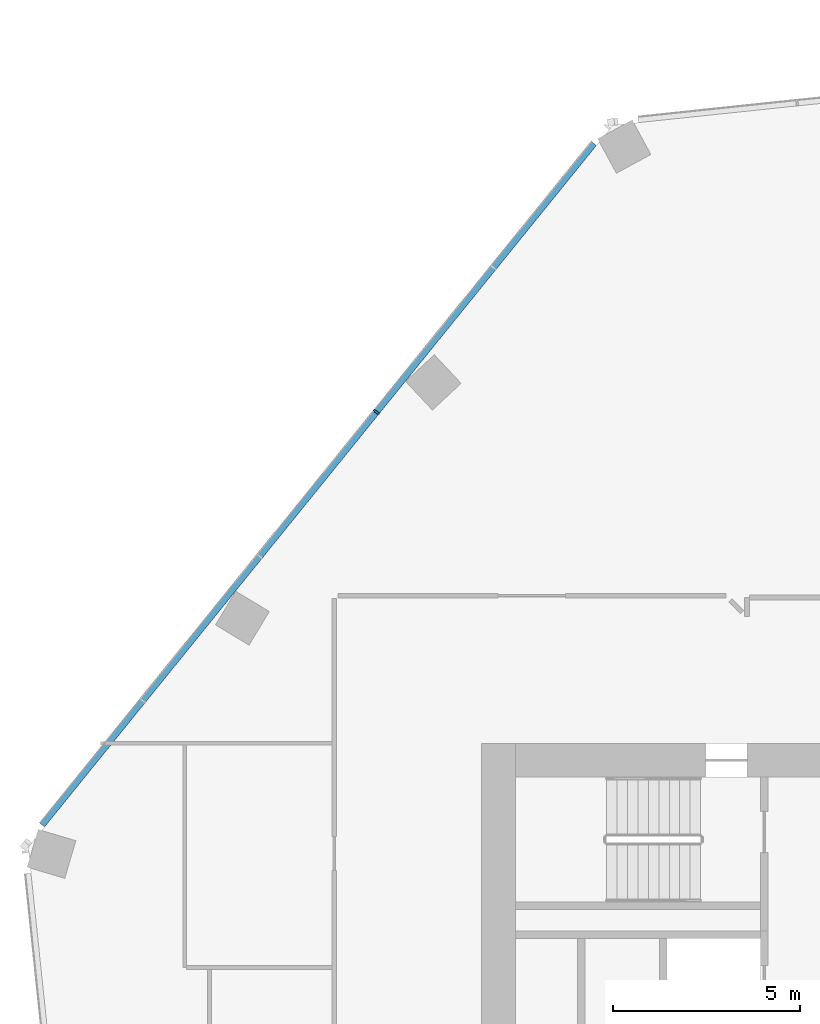
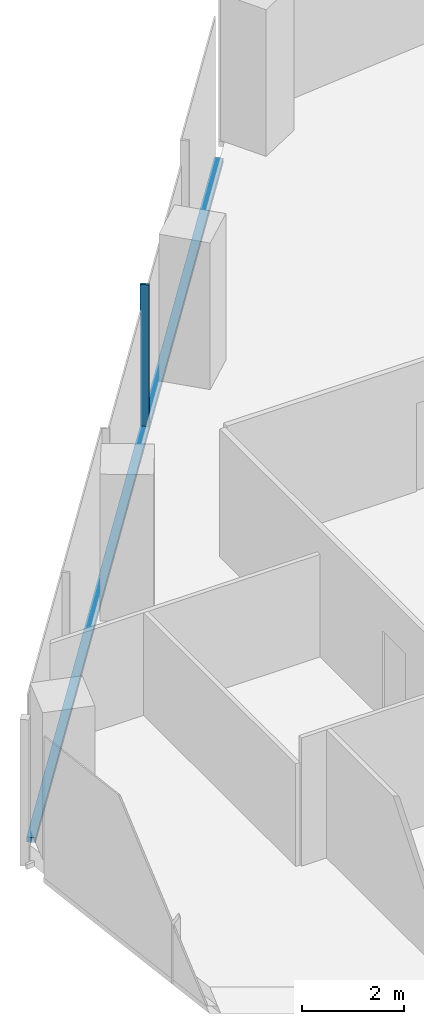
# One storey, part 8 of 23: 2 members, 1 element without a shape of its own.
"""IFC4 building model written with IfcOpenShell, lengths in metres."""

import ifcopenshell
import ifcopenshell.guid

model = None  # the IFC model being written
_history = None  # IfcOwnerHistory: only IFC2X3 demands one
_inside = {}  # id of a spatial element -> (the spatial element, [elements in it])
_under = {}  # id of a project, library or spatial element -> (it, [spatial elements below it])
_declared = {}  # id of a project -> (the project, [libraries it declares])
_typed = {}  # id of a type object -> (the type object, [elements of that type])
_made_of = {}  # id of a material, layer set ... -> (it, [elements and type objects made of it])


def new_model(schema):
    """Start an empty IFC model of exactly this schema.

    Asked for "IFC4X3", IfcOpenShell would pick the latest addendum, in which some entities
    have other attributes; the version numbers below select the first issue.
    IFC2X3 requires an IfcOwnerHistory on every rooted entity: one is made here for all.
    """
    global model, _history
    if schema == "IFC4X3":
        model = ifcopenshell.file(schema_version=(4, 3, 0, 0))
    else:
        model = ifcopenshell.file(schema=schema)
    _inside.clear()
    _under.clear()
    _declared.clear()
    _typed.clear()
    _made_of.clear()
    _history = None
    if model.schema == "IFC2X3":
        org = make("IfcOrganization", Name="unknown")
        user = make(
            "IfcPersonAndOrganization",
            ThePerson=make("IfcPerson", FamilyName="unknown"),
            TheOrganization=org,
        )
        app = make(
            "IfcApplication",
            ApplicationDeveloper=org,
            Version="unknown",
            ApplicationFullName="unknown",
            ApplicationIdentifier="unknown",
        )
        _history = make(
            "IfcOwnerHistory",
            OwningUser=user,
            OwningApplication=app,
            ChangeAction="ADDED",
            CreationDate=0,
        )
    return model


def make(cls, **values):
    """One entity of the class cls with the attributes given. An attribute that is None is left unset."""
    return model.create_entity(
        cls, **{name: value for name, value in values.items() if value is not None}
    )


def rooted(cls, **values):
    """An entity with a GlobalId (a new one), such as an element, a storey or a relation."""
    return make(cls, GlobalId=ifcopenshell.guid.new(), OwnerHistory=_history, **values)


def si_unit(unit_type, name, prefix=None):
    """IfcSIUnit, for example si_unit("LENGTHUNIT", "METRE", prefix="MILLI")."""
    return make("IfcSIUnit", UnitType=unit_type, Prefix=prefix, Name=name)


def assignment(units):
    """IfcUnitAssignment: the units of a project."""
    return None if units is None else make("IfcUnitAssignment", Units=units)


def point(xyz):
    """IfcCartesianPoint."""
    return None if xyz is None else make("IfcCartesianPoint", Coordinates=xyz)


def direction(xyz):
    """IfcDirection."""
    return None if xyz is None else make("IfcDirection", DirectionRatios=xyz)


def frame(location, z_axis=None, x_axis=None):
    """IfcAxis2Placement3D, a coordinate frame: its origin and axes. An axis left out is left unset."""
    return make(
        "IfcAxis2Placement3D",
        Location=point(location),
        Axis=direction(z_axis),
        RefDirection=direction(x_axis),
    )


def frame_2d(location, x_axis=None):
    """IfcAxis2Placement2D, a coordinate frame in the plane: its origin and x axis."""
    return make(
        "IfcAxis2Placement2D", Location=point(location), RefDirection=direction(x_axis)
    )


def origin():
    """The frame at (0, 0, 0) with its axes left unset."""
    return frame((0.0, 0.0, 0.0))


def origin_2d():
    """The frame at (0, 0) in the plane with its x axis left unset."""
    return frame_2d((0.0, 0.0))


def place(relative_to, where):
    """IfcLocalPlacement: puts the frame where relative to a parent placement (None: the world)."""
    return make(
        "IfcLocalPlacement", PlacementRelTo=relative_to, RelativePlacement=where
    )


def context(
    kind, dimensions, precision=None, world=None, true_north=None, identifier=None
):
    """IfcGeometricRepresentationContext, for example the 3D "Model" context."""
    return make(
        "IfcGeometricRepresentationContext",
        ContextIdentifier=identifier,
        ContextType=kind,
        CoordinateSpaceDimension=dimensions,
        Precision=precision,
        WorldCoordinateSystem=world,
        TrueNorth=true_north,
    )


def subcontext(parent, identifier, kind, view, scale=None):
    """IfcGeometricRepresentationSubContext, for example "Body" below "Model"."""
    return make(
        "IfcGeometricRepresentationSubContext",
        ContextIdentifier=identifier,
        ContextType=kind,
        ParentContext=parent,
        TargetScale=scale,
        TargetView=view,
    )


def project(units=None, contexts=None):
    """IfcProject with its units and contexts."""
    return rooted(
        "IfcProject",
        Name="project",
        RepresentationContexts=contexts,
        UnitsInContext=assignment(units),
    )


def spatial(cls, under=None, at=None, **own):
    """A site, building, storey or space (cls), placed at a placement, below another one or the project."""
    s = rooted(cls, ObjectPlacement=at, **own)
    if under is not None:
        _under.setdefault(under.id(), (under, []))[1].append(s)
    return s


def profile(cls, at=None, kind="AREA", **sizes):
    """A parametric profile (cls). Its sizes go by their IFC names, for example OverallWidth=200.0."""
    return make(cls, ProfileType=kind, Position=at, **sizes)


def rectangle(**sizes):
    """IfcRectangleProfileDef."""
    return profile("IfcRectangleProfileDef", **sizes)


def extrude(swept, where, along, depth):
    """IfcExtrudedAreaSolid: the profile swept, set in the frame where, extruded along a direction by depth."""
    return make(
        "IfcExtrudedAreaSolid",
        SweptArea=swept,
        Position=where,
        ExtrudedDirection=direction(along),
        Depth=depth,
    )


def shape(context_of_items, identifier, shape_type, items):
    """IfcShapeRepresentation: the items that make up one representation, for example the "Body"."""
    return make(
        "IfcShapeRepresentation",
        ContextOfItems=context_of_items,
        RepresentationIdentifier=identifier,
        RepresentationType=shape_type,
        Items=items,
    )


def material(Name=None, Category=None):
    """IfcMaterial."""
    return make("IfcMaterial", Name=Name, Category=Category)


def material_profile(
    of_material, cross_section, Name=None, Category=None, Priority=None
):
    """IfcMaterialProfile: a cross section and its material."""
    return make(
        "IfcMaterialProfile",
        Name=Name,
        Material=of_material,
        Profile=cross_section,
        Priority=Priority,
        Category=Category,
    )


def profile_set(profiles, Name=None, composite=None):
    """IfcMaterialProfileSet."""
    return make(
        "IfcMaterialProfileSet",
        Name=Name,
        MaterialProfiles=profiles,
        CompositeProfile=composite,
    )


def made_of(thing, what):
    """Note that an element or type object is made of a material, layer set ...; save() writes the relation."""
    if what is not None:
        _made_of.setdefault(what.id(), (what, []))[1].append(thing)
    return thing


def type_object(cls, material=None, **own):
    """A type object (cls), such as IfcWallType, which elements share."""
    return made_of(rooted(cls, **own), material)


def element(
    cls,
    number,
    at=None,
    inside=None,
    cuts=None,
    type_object=None,
    material=None,
    context=None,
    identifier="Body",
    shape_type=None,
    held_by="IfcProductDefinitionShape",
    body=None,
    shapes=None,
    **own,
):
    """One element of the class cls, such as IfcWall. Its Tag is "e" and its number.

    at: its placement. inside: the storey or other place that contains it. cuts: it is an
    opening in that element (IfcRelVoidsElement). A single representation is given by context,
    identifier, shape_type and body (its items); several are given by shapes. held_by: the class
    of the entity that holds the representations. save() writes the other relations.
    """
    e = rooted(cls, Tag="e%d" % number, ObjectPlacement=at, **own)
    if body is not None:
        shapes = [shape(context, identifier, shape_type, body)]
    if shapes is not None:
        e.Representation = make(held_by, Representations=shapes)
    if inside is not None:
        _inside.setdefault(inside.id(), (inside, []))[1].append(e)
    if cuts is not None:
        rooted(
            "IfcRelVoidsElement", RelatingBuildingElement=cuts, RelatedOpeningElement=e
        )
    if type_object is not None:
        _typed.setdefault(type_object.id(), (type_object, []))[1].append(e)
    return made_of(e, material)


def aggregate(whole, parts):
    """IfcRelAggregates: a whole, such as a stair, and the parts it consists of."""
    return rooted("IfcRelAggregates", RelatingObject=whole, RelatedObjects=parts)


def save(model, path):
    """Write the relations noted so far, then the file.

    IfcRelAggregates (storeys below a building ...), IfcRelContainedInSpatialStructure (elements
    in a storey), IfcRelDefinesByType, IfcRelAssociatesMaterial and IfcRelDeclares: one each for
    every whole, place, type object, material and project.
    """
    for whole, parts in _under.values():
        aggregate(whole, parts)
    for where, things in _inside.values():
        rooted(
            "IfcRelContainedInSpatialStructure",
            RelatedElements=things,
            RelatingStructure=where,
        )
    for kind, things in _typed.values():
        rooted("IfcRelDefinesByType", RelatedObjects=things, RelatingType=kind)
    for what, things in _made_of.values():
        rooted("IfcRelAssociatesMaterial", RelatedObjects=things, RelatingMaterial=what)
    for by, libraries in _declared.values():
        rooted("IfcRelDeclares", RelatingContext=by, RelatedDefinitions=libraries)
    model.write(path)


model = new_model("IFC4")

# Units and contexts
model_context = context("Model", 3, precision=1e-05, world=origin(), true_north=direction((0.0, 1.0)))
body_context = subcontext(model_context, "Body", "Model", "MODEL_VIEW")
ifc_project = project(units=[si_unit("LENGTHUNIT", "METRE"), si_unit("AREAUNIT", "SQUARE_METRE"), si_unit("VOLUMEUNIT", "CUBIC_METRE"), si_unit("PLANEANGLEUNIT", "RADIAN"), si_unit("MASSUNIT", "GRAM", prefix="KILO")], contexts=[model_context])

# Site, building, storey
site_placement = place(None, origin())
site = spatial("IfcSite", under=ifc_project, at=site_placement, CompositionType="ELEMENT")
building_placement = place(site_placement, origin())
building = spatial("IfcBuilding", under=site, at=building_placement, Name="Orlundy Tower", CompositionType="ELEMENT")
storey_placement = place(building_placement, frame((0.0, 0.0, 224.5)))
storey = spatial("IfcBuildingStorey", under=building, at=storey_placement, Name="L59", CompositionType="ELEMENT", Elevation=224.5)

# Curtain wall, members
ifc_material_1 = material(Name="Aluminium bronze anodised", Category="aluminium")
curtain_wall_type = type_object("IfcCurtainWallType", Name="CW1 wall", PredefinedType="NOTDEFINED", material=ifc_material_1)
curtain_wall_placement = place(storey_placement, origin())
curtain_wall = element("IfcCurtainWall", 1, at=curtain_wall_placement, inside=storey, type_object=curtain_wall_type, Name="CW1 run 03", PredefinedType="NOTDEFINED")
ifc_material_2 = material(Name="Aluminium bronze anodised", Category="aluminium")
ifc_material_profile_1 = material_profile(ifc_material_2, rectangle(XDim=0.179931640625, YDim=0.050048828125, at=origin_2d()), Name="CW1 mullion 50x180")
ifc_profile_set_1 = profile_set([ifc_material_profile_1], Name="Aluminium bronze anodised")
member_type_1 = type_object("IfcMemberType", Name="CW1 mullion 50x180", PredefinedType="MULLION", material=ifc_profile_set_1)
member_1_placement = place(storey_placement, frame((-21.8203125, 20.86767578125, -0.419921875), z_axis=(0.0, 0.0, 1.0), x_axis=(-0.777145540374, 0.629320911043, 0.0)))
member_1 = element("IfcMember", 2, at=member_1_placement, type_object=member_type_1, Name="CW1 mullion 13", PredefinedType="MULLION", context=body_context, shape_type="SweptSolid", body=[
    extrude(rectangle(XDim=0.179931640625, YDim=0.050048828125, at=origin_2d()), origin(), (0.0, 0.0, 1.0), 3.5),
])
ifc_material_3 = material(Name="Aluminium bronze anodised", Category="aluminium")
ifc_material_profile_2 = material_profile(ifc_material_3, rectangle(XDim=0.179931640625, YDim=0.1201171875, at=origin_2d()), Name="CW1 transom 180x120")
ifc_profile_set_2 = profile_set([ifc_material_profile_2], Name="Aluminium bronze anodised")
member_type_2 = type_object("IfcMemberType", Name="CW1 transom 180x120", PredefinedType="USERDEFINED", material=ifc_profile_set_2)
member_2_placement = place(storey_placement, frame((-30.768310546875, 9.81787109375, -0.360107421875), z_axis=(0.629325117988, 0.777142133634, 0.0), x_axis=(-0.777142133634, 0.629325117988, 0.0)))
member_2 = element("IfcMember", 3, at=member_2_placement, type_object=member_type_2, Name="CW1 transom", ObjectType="TRANSOM", PredefinedType="USERDEFINED", context=body_context, shape_type="SweptSolid", body=[
    extrude(rectangle(XDim=0.179931640625, YDim=0.1201171875, at=origin_2d()), origin(), (0.0, 0.0, 1.0), 23.466552734375),
])
aggregate(curtain_wall, [member_1, member_2])

save(model, "model.ifc")
